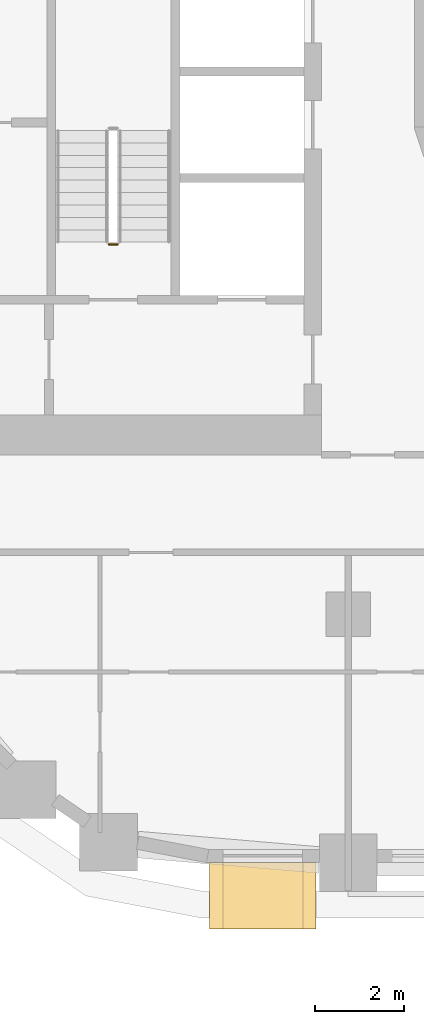
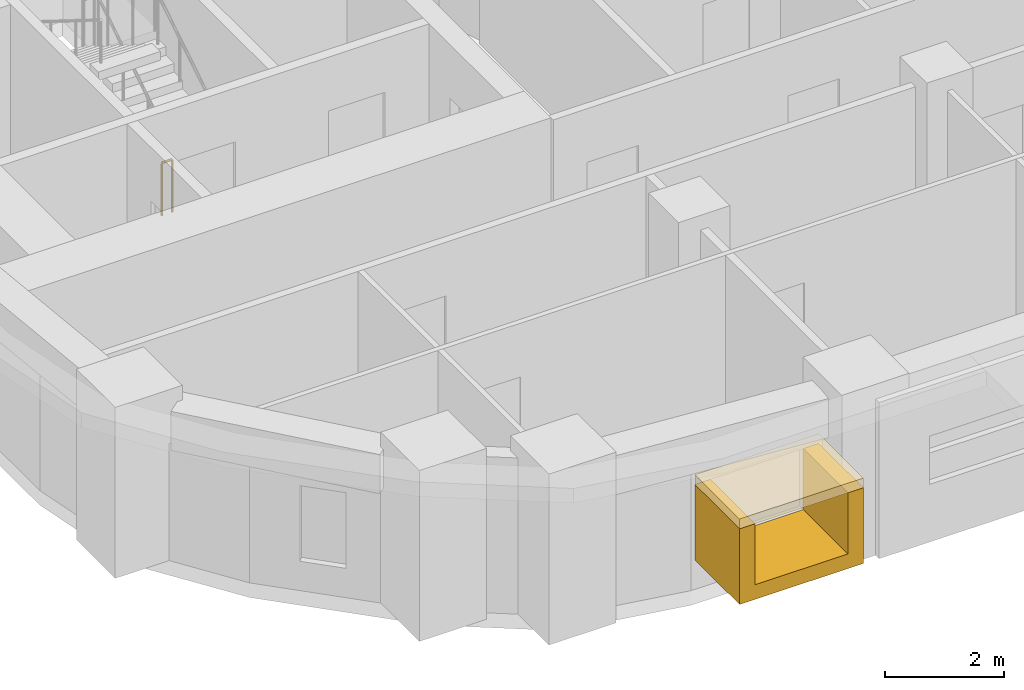
# One storey, part 11 of 21: 2 coverings, 1 railing.
"""IFC4 building model written with IfcOpenShell, lengths in metres."""

from ifc_helpers import new_model, si_unit, direction, frame, origin, origin_2d, place, context, subcontext, project, spatial, polyline, rectangle, circle, outline, extrude, material, layer, layer_set, type_object, element, save


model = new_model("IFC4")

# Units and contexts
model_context = context("Model", 3, precision=1e-05, world=origin(), true_north=direction((0.0, 1.0)))
body_context = subcontext(model_context, "Body", "Model", "MODEL_VIEW")
ifc_project = project(units=[si_unit("LENGTHUNIT", "METRE"), si_unit("AREAUNIT", "SQUARE_METRE"), si_unit("VOLUMEUNIT", "CUBIC_METRE"), si_unit("PLANEANGLEUNIT", "RADIAN"), si_unit("MASSUNIT", "GRAM", prefix="KILO")], contexts=[model_context])

# Site, building, storey
site_placement = place(None, origin())
site = spatial("IfcSite", under=ifc_project, at=site_placement, CompositionType="ELEMENT")
building_placement = place(site_placement, origin())
building = spatial("IfcBuilding", under=site, at=building_placement, Name="Kiln Ring Residences", CompositionType="ELEMENT")
storey_placement = place(building_placement, frame((0.0, 0.0, 93.800048828125)))
storey = spatial("IfcBuildingStorey", under=building, at=storey_placement, Name="L23", CompositionType="ELEMENT", Elevation=93.800048828125)

# Railing
ifc_material_1 = material(Name="Stainless steel", Category="steel")
railing_type = type_object("IfcRailingType", Name="CORE-STAIR-GUARD", PredefinedType="GUARDRAIL", material=ifc_material_1)
railing_placement = place(storey_placement, frame((-22.0, -8.449951171875, 0.0)))
element("IfcRailing", 1, at=railing_placement, inside=storey, type_object=railing_type, Name="L23 W-STS stair guard 4", PredefinedType="GUARDRAIL", context=body_context, shape_type="SweptSolid", body=[
    extrude(circle(Radius=0.02392578125, at=origin_2d()), frame((0.0, 0.0, 1.076171875), z_axis=(-1.0, 0.0, 0.0), x_axis=(0.0, -1.0, 0.0)), (0.0, 0.0, 1.0), 0.199951171875),
    extrude(circle(Radius=0.02099609375, at=origin_2d()), origin(), (0.0, 0.0, 1.0), 1.052001953125),
    extrude(circle(Radius=0.02099609375, at=origin_2d()), frame((-0.199951171875, 0.0, 0.0)), (0.0, 0.0, 1.0), 1.052001953125),
])

# Coverings
ifc_material_2 = material(Name="Brick masonry, dark clay brick", Category="masonry")
ifc_layer_1 = layer(ifc_material_2, 0.300048828125)
ifc_layer_set_1 = layer_set([ifc_layer_1], Name="FRAME CHEEKS AND SILL 1500")
covering_type_1 = type_object("IfcCoveringType", Name="FRAME CHEEKS AND SILL 1500", PredefinedType="CLADDING", material=ifc_layer_set_1)
covering_1_placement = place(storey_placement, frame((-19.925048828125, -23.14990234375, 0.599853515625), z_axis=(0.0, 0.0, 1.0), x_axis=(1.0, 0.0, 0.0)))
element("IfcCovering", 2, at=covering_1_placement, inside=storey, type_object=covering_type_1, Name="FRAME L23", PredefinedType="CLADDING", context=body_context, shape_type="SweptSolid", body=[
    extrude(outline(polyline([(0.0, 0.0), (2.400146484375, 0.0), (2.39990234375, 1.550048828125), (2.10107421875, 1.550048828125), (2.10009765625, 0.300048828125), (0.300048828125, 0.300048828125), (0.299072265625, 1.550048828125), (0.0, 1.550048828125), (0.0, 0.0)])), frame((0.0, 0.75, 0.0), z_axis=(0.0, -1.0, 0.0), x_axis=(1.0, 0.0, 0.0)), (0.0, 0.0, 1.0), 1.5),
])
ifc_material_3 = material(Name="Brick masonry, dark clay brick", Category="masonry")
ifc_layer_2 = layer(ifc_material_3, 0.199951171875)
ifc_layer_set_2 = layer_set([ifc_layer_2], Name="FRAME HEAD 1500")
covering_type_2 = type_object("IfcCoveringType", Name="FRAME HEAD 1500", PredefinedType="CLADDING", material=ifc_layer_set_2)
covering_2_placement = place(storey_placement, frame((-18.72509765625, -23.14990234375, 2.14990234375), z_axis=(0.0, 0.0, 1.0), x_axis=(1.0, 0.0, 0.0)))
element("IfcCovering", 3, at=covering_2_placement, inside=storey, type_object=covering_type_2, Name="FRAME HEAD L23", PredefinedType="CLADDING", context=body_context, shape_type="SweptSolid", body=[
    extrude(rectangle(XDim=2.39990234375, YDim=1.5, at=origin_2d()), origin(), (0.0, 0.0, 1.0), 0.199951171875),
])

save(model, "model.ifc")
